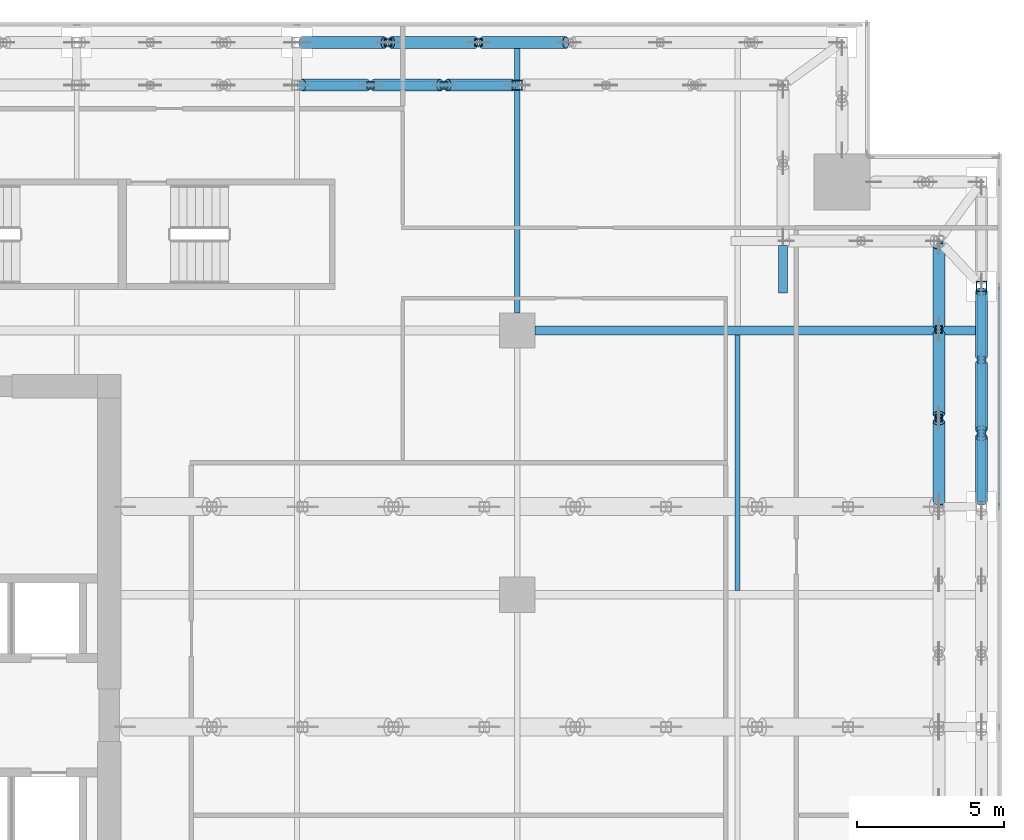
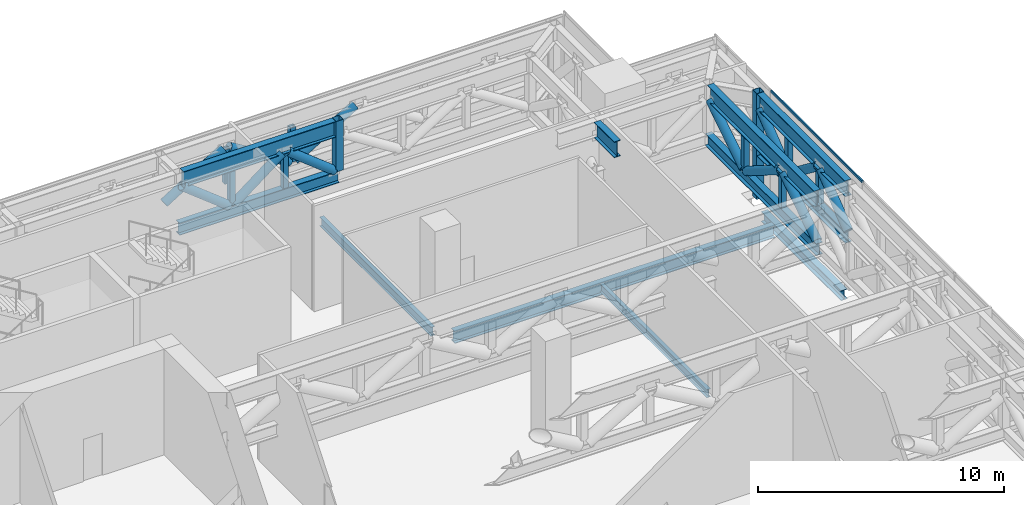
# One storey, part 23 of 36: 30 members, 4 beams, 1 element without a shape of its own.
"""IFC4 building model written with IfcOpenShell, lengths in metres."""

from ifc_helpers import new_model, si_unit, direction, frame, origin, origin_2d, place, context, subcontext, project, spatial, hollow_rectangle, hollow_circle, i_section, extrude, source, transform, mapped, material, material_profile, profile_set, type_object, element, aggregate, save


model = new_model("IFC4")

# Units and contexts
model_context = context("Model", 3, precision=1e-05, world=origin(), true_north=direction((0.0, 1.0)))
body_context = subcontext(model_context, "Body", "Model", "MODEL_VIEW")
ifc_project = project(units=[si_unit("LENGTHUNIT", "METRE"), si_unit("AREAUNIT", "SQUARE_METRE"), si_unit("VOLUMEUNIT", "CUBIC_METRE"), si_unit("PLANEANGLEUNIT", "RADIAN"), si_unit("MASSUNIT", "GRAM", prefix="KILO")], contexts=[model_context])

# Site, building, storey
site_placement = place(None, origin())
site = spatial("IfcSite", under=ifc_project, at=site_placement, CompositionType="ELEMENT")
building_placement = place(site_placement, origin())
building = spatial("IfcBuilding", under=site, at=building_placement, Name="Khomas Fold Tower", CompositionType="ELEMENT")
storey_placement = place(building_placement, frame((0.0, 0.0, 216.699951171875)))
storey = spatial("IfcBuildingStorey", under=building, at=storey_placement, Name="L48", CompositionType="ELEMENT", Elevation=216.699951171875)

# Beams
ifc_material_1 = material(Name="Steel S355", Category="steel")
ifc_material_profile_1 = material_profile(ifc_material_1, i_section(OverallWidth=0.179931640625, OverallDepth=0.39990234375, WebThickness=0.008544921875, FlangeThickness=0.013427734375, at=origin_2d()), Name="IPE 400")
ifc_profile_set_1 = profile_set([ifc_material_profile_1], Name="Steel S355")
beam_type_1 = type_object("IfcBeamType", Name="IPE 400 beam JB3", PredefinedType="BEAM", material=ifc_profile_set_1)
shared_shape_1 = source(origin(), body_context, "Body", "SweptSolid", [
    extrude(i_section(OverallWidth=0.179931640625, OverallDepth=0.39990234375, WebThickness=0.008544921875, FlangeThickness=0.013427734375, at=origin_2d()), origin(), (0.0, 0.0, 1.0), 8.7001953125),
])
beam_1_placement = place(storey_placement, frame((42.0, 31.64990234375, -0.599853515625), z_axis=(0.0, 1.0, 0.0), x_axis=(-1.0, 0.0, 0.0)))
element("IfcBeam", 1, at=beam_1_placement, inside=storey, type_object=beam_type_1, Name="JB3", PredefinedType="BEAM", context=body_context, shape_type="MappedRepresentation", body=[
    mapped(shared_shape_1, transform((0.0, 0.0, 0.0))),
])
ifc_material_2 = material(Name="Steel S355", Category="steel")
ifc_material_profile_2 = material_profile(ifc_material_2, i_section(OverallWidth=0.300048828125, OverallDepth=0.5, WebThickness=0.014404296875, FlangeThickness=0.028076171875, at=origin_2d()), Name="HE 500 B")
ifc_profile_set_2 = profile_set([ifc_material_profile_2], Name="Steel S355")
beam_type_2 = type_object("IfcBeamType", Name="HE 500 B spandrel SB3", PredefinedType="SPANDREL", material=ifc_profile_set_2)
shared_shape_2 = source(origin(), body_context, "Body", "SweptSolid", [
    extrude(i_section(OverallWidth=0.300048828125, OverallDepth=0.5, WebThickness=0.014404296875, FlangeThickness=0.028076171875, at=origin_2d()), origin(), (0.0, 0.0, 1.0), 6.5),
])
beam_2_placement = place(storey_placement, frame((50.300048828125, 35.0, -0.64990234375), z_axis=(0.0, 1.0, 0.0), x_axis=(-1.0, 0.0, 0.0)))
element("IfcBeam", 2, at=beam_2_placement, inside=storey, type_object=beam_type_2, Name="SB3", PredefinedType="SPANDREL", context=body_context, shape_type="MappedRepresentation", body=[
    mapped(shared_shape_2, transform((0.0, 0.0, 0.0))),
])
ifc_material_3 = material(Name="Steel S355", Category="steel")
ifc_material_profile_3 = material_profile(ifc_material_3, i_section(OverallWidth=0.300048828125, OverallDepth=0.60009765625, WebThickness=0.015380859375, FlangeThickness=0.030029296875, at=origin_2d()), Name="HE 600 B")
ifc_profile_set_3 = profile_set([ifc_material_profile_3], Name="Steel S355")
beam_type_3 = type_object("IfcBeamType", Name="HE 600 B beam GB5", PredefinedType="BEAM", material=ifc_profile_set_3)
shared_shape_3 = source(origin(), body_context, "Body", "SweptSolid", [
    extrude(i_section(OverallWidth=0.300048828125, OverallDepth=0.60009765625, WebThickness=0.015380859375, FlangeThickness=0.030029296875, at=origin_2d()), origin(), (0.0, 0.0, 1.0), 15.0498046875),
])
beam_3_placement = place(storey_placement, frame((35.10009765625, 40.5, -0.699951171875), z_axis=(1.0, 0.0, 0.0), x_axis=(0.0, 1.0, 0.0)))
element("IfcBeam", 3, at=beam_3_placement, inside=storey, type_object=beam_type_3, Name="GB5", PredefinedType="BEAM", context=body_context, shape_type="MappedRepresentation", body=[
    mapped(shared_shape_3, transform((0.0, 0.0, 0.0))),
])
ifc_material_4 = material(Name="Steel S355", Category="steel")
ifc_material_profile_4 = material_profile(ifc_material_4, i_section(OverallWidth=0.18994140625, OverallDepth=0.449951171875, WebThickness=0.009521484375, FlangeThickness=0.0146484375, at=origin_2d()), Name="IPE 450")
ifc_profile_set_4 = profile_set([ifc_material_profile_4], Name="Steel S355")
beam_type_4 = type_object("IfcBeamType", Name="IPE 450 beam JB4", PredefinedType="BEAM", material=ifc_profile_set_4)
shared_shape_4 = source(origin(), body_context, "Body", "SweptSolid", [
    extrude(i_section(OverallWidth=0.18994140625, OverallDepth=0.449951171875, WebThickness=0.009521484375, FlangeThickness=0.0146484375, at=origin_2d()), origin(), (0.0, 0.0, 1.0), 9.0498046875),
])
beam_4_placement = place(storey_placement, frame((34.5, 41.10009765625, -0.625), z_axis=(0.0, 1.0, 0.0), x_axis=(-1.0, 0.0, 0.0)))
element("IfcBeam", 4, at=beam_4_placement, inside=storey, type_object=beam_type_4, Name="JB4", PredefinedType="BEAM", context=body_context, shape_type="MappedRepresentation", body=[
    mapped(shared_shape_4, transform((0.0, 0.0, 0.0))),
])

# Members
ifc_material_5 = material(Name="Steel S355", Category="steel")
ifc_material_profile_5 = material_profile(ifc_material_5, i_section(OverallWidth=0.300048828125, OverallDepth=0.7900390625, WebThickness=0.014892578125, FlangeThickness=0.028076171875, at=origin_2d()), Name="HE 800 A")
ifc_profile_set_5 = profile_set([ifc_material_profile_5], Name="Steel S355")
member_type_1 = type_object("IfcMemberType", Name="BELT TRUSS 3 TOP CHORD HE 800 A", PredefinedType="CHORD", material=ifc_profile_set_5)
shared_shape_5 = source(origin(), body_context, "Body", "SweptSolid", [
    extrude(i_section(OverallWidth=0.300048828125, OverallDepth=0.7900390625, WebThickness=0.014892578125, FlangeThickness=0.028076171875, at=origin_2d()), origin(), (0.0, 0.0, 1.0), 7.14990234375),
])
for number, where, z_axis, x_axis, name in (
    (5, (50.300048828125, 34.675048828125, 4.85498046875), (0.0, 1.0, 0.0), (-1.0, 0.0, 0.0), "BT3-CT"),
    (6, (34.324951171875, 48.85009765625, 4.85498046875), (-1.0, 0.0, 0.0), (0.0, -1.0, 0.0), "BT3-CT"),
):
    element("IfcMember", number, at=place(storey_placement, frame(where, z_axis=z_axis, x_axis=x_axis)), inside=storey, type_object=member_type_1, Name=name, PredefinedType="CHORD", context=body_context, shape_type="MappedRepresentation", body=[
        mapped(shared_shape_5, transform((0.0, 0.0, 0.0))),
    ])
ifc_material_6 = material(Name="Steel S355", Category="steel")
ifc_material_profile_6 = material_profile(ifc_material_6, i_section(OverallWidth=0.300048828125, OverallDepth=0.590087890625, WebThickness=0.012939453125, FlangeThickness=0.02490234375, at=origin_2d()), Name="HE 600 A")
ifc_profile_set_6 = profile_set([ifc_material_profile_6], Name="Steel S355")
member_type_2 = type_object("IfcMemberType", Name="BELT TRUSS 3 BOTTOM CHORD HE 600 A", PredefinedType="CHORD", material=ifc_profile_set_6)
shared_shape_6 = source(origin(), body_context, "Body", "SweptSolid", [
    extrude(i_section(OverallWidth=0.300048828125, OverallDepth=0.590087890625, WebThickness=0.012939453125, FlangeThickness=0.02490234375, at=origin_2d()), origin(), (0.0, 0.0, 1.0), 7.14990234375),
])
member_1_placement = place(storey_placement, frame((50.300048828125, 34.675048828125, 2.445068359375), z_axis=(0.0, 1.0, 0.0), x_axis=(-1.0, 0.0, 0.0)))
element("IfcMember", 7, at=member_1_placement, inside=storey, type_object=member_type_2, Name="BT3-CB", PredefinedType="CHORD", context=body_context, shape_type="MappedRepresentation", body=[
    mapped(shared_shape_6, transform((0.0, 0.0, 0.0))),
])
ifc_material_7 = material(Name="Steel S355", Category="steel")
ifc_material_profile_7 = material_profile(ifc_material_7, hollow_circle(Radius=0.203125, WallThickness=0.012451171875, at=origin_2d()), Name="CHS 406.4x12.5")
ifc_profile_set_7 = profile_set([ifc_material_profile_7], Name="Steel S355")
member_type_3 = type_object("IfcMemberType", Name="BELT TRUSS 3 DIAGONAL CHS 406.4x12.5", PredefinedType="BRACE", material=ifc_profile_set_7)
shared_shape_7 = source(origin(), body_context, "Body", "SweptSolid", [
    extrude(hollow_circle(Radius=0.203125, WallThickness=0.012451171875, at=origin_2d()), origin(), (0.0, 0.0, 1.0), 2.798583984375),
])
for number, where, z_axis, x_axis, name in (
    (8, (50.300048828125, 34.675048828125, 2.735107421875), (0.0, 0.786067028411, 0.618141267709), (-1.0, 0.0, 0.0), "BT3-D"),
    (9, (50.300048828125, 39.625, 2.735107421875), (0.0, 0.786067028411, 0.618141267709), (-1.0, 0.0, 0.0), "BT3-D"),
    (10, (34.324951171875, 48.85009765625, 2.735107421875), (-0.786067028411, 0.0, 0.618141267709), (0.0, -1.0, 0.0), "BT3-D"),
    (11, (29.375, 48.85009765625, 2.735107421875), (-0.786067028411, 0.0, 0.618141267709), (0.0, -1.0, 0.0), "BT3-D"),
):
    element("IfcMember", number, at=place(storey_placement, frame(where, z_axis=z_axis, x_axis=x_axis)), inside=storey, type_object=member_type_3, Name=name, PredefinedType="BRACE", context=body_context, shape_type="MappedRepresentation", body=[
        mapped(shared_shape_7, transform((0.0, 0.0, 0.0))),
    ])
shared_shape_8 = source(origin(), body_context, "Body", "SweptSolid", [
    extrude(hollow_circle(Radius=0.203125, WallThickness=0.012451171875, at=origin_2d()), origin(), (0.0, 0.0, 1.0), 2.838134765625),
])
for number, where, z_axis, x_axis, name in (
    (12, (50.300048828125, 37.125, 4.465087890625), (0.0, 0.792758275848, -0.609536148292), (-1.0, 0.0, 0.0), "BT3-D"),
    (13, (31.875, 48.85009765625, 4.465087890625), (-0.792758275848, 0.0, -0.609536148292), (0.0, -1.0, 0.0), "BT3-D"),
):
    element("IfcMember", number, at=place(storey_placement, frame(where, z_axis=z_axis, x_axis=x_axis)), inside=storey, type_object=member_type_3, Name=name, PredefinedType="BRACE", context=body_context, shape_type="MappedRepresentation", body=[
        mapped(shared_shape_8, transform((0.0, 0.0, 0.0))),
    ])
ifc_material_8 = material(Name="Steel S355", Category="steel")
ifc_material_profile_8 = material_profile(ifc_material_8, hollow_rectangle(XDim=0.25, YDim=0.25, WallThickness=0.01611328125, at=origin_2d()), Name="SHS 250x250x16")
ifc_profile_set_8 = profile_set([ifc_material_profile_8], Name="Steel S355")
member_type_4 = type_object("IfcMemberType", Name="BELT TRUSS 3 MID POST SHS 250x250x16", PredefinedType="POST", material=ifc_profile_set_8)
shared_shape_9 = source(origin(), body_context, "Body", "SweptSolid", [
    extrude(hollow_rectangle(XDim=0.25, YDim=0.25, WallThickness=0.01611328125, at=origin_2d()), origin(), (0.0, 0.0, 1.0), 1.719970703125),
])
for number, where, z_axis, x_axis, name in (
    (14, (50.300048828125, 37.0, 2.739990234375), (0.0, 0.0, 1.0), (1.0, 0.0, 0.0), "BT3-M"),
    (15, (50.300048828125, 39.5, 2.739990234375), (0.0, 0.0, 1.0), (1.0, 0.0, 0.0), "BT3-M"),
    (16, (33.183349609375, 50.300048828125, 2.739990234375), (0.0, 0.0, 1.0), (1.0, 0.0, 0.0), "BT3-M"),
    (17, (30.091552734375, 50.300048828125, 2.739990234375), (0.0, 0.0, 1.0), (1.0, 0.0, 0.0), "BT3-M"),
    (18, (48.85009765625, 37.5166015625, 2.739990234375), (0.0, 0.0, 1.0), (1.0, 0.0, 0.0), "BT3-M"),
    (19, (48.85009765625, 40.533447265625, 2.739990234375), (0.0, 0.0, 1.0), (1.0, 0.0, 0.0), "BT3-M"),
    (20, (32.0, 48.85009765625, 2.739990234375), (0.0, 0.0, 1.0), (1.0, 0.0, 0.0), "BT3-M"),
    (21, (29.5, 48.85009765625, 2.739990234375), (0.0, 0.0, 1.0), (1.0, 0.0, 0.0), "BT3-M"),
):
    element("IfcMember", number, at=place(storey_placement, frame(where, z_axis=z_axis, x_axis=x_axis)), inside=storey, type_object=member_type_4, Name=name, PredefinedType="POST", context=body_context, shape_type="MappedRepresentation", body=[
        mapped(shared_shape_9, transform((0.0, 0.0, 0.0))),
    ])
shared_shape_10 = source(origin(), body_context, "Body", "SweptSolid", [
    extrude(hollow_circle(Radius=0.203125, WallThickness=0.012451171875, at=origin_2d()), origin(), (0.0, 0.0, 1.0), 3.32666015625),
])
member_2_placement = place(storey_placement, frame((36.14990234375, 50.300048828125, 4.465087890625), z_axis=(-0.854153204159, 0.0, -0.520021445543), x_axis=(0.0, -1.0, 0.0)))
element("IfcMember", 22, at=member_2_placement, inside=storey, type_object=member_type_3, Name="BT3-D", PredefinedType="BRACE", context=body_context, shape_type="MappedRepresentation", body=[
    mapped(shared_shape_10, transform((0.0, 0.0, 0.0))),
])
shared_shape_11 = source(origin(), body_context, "Body", "SweptSolid", [
    extrude(hollow_circle(Radius=0.203125, WallThickness=0.012451171875, at=origin_2d()), origin(), (0.0, 0.0, 1.0), 3.326904296875),
])
member_3_placement = place(storey_placement, frame((33.058349609375, 50.300048828125, 2.735107421875), z_axis=(-0.854173047819, 0.0, 0.519988850245), x_axis=(0.0, -1.0, 0.0)))
element("IfcMember", 23, at=member_3_placement, inside=storey, type_object=member_type_3, Name="BT3-D", PredefinedType="BRACE", context=body_context, shape_type="MappedRepresentation", body=[
    mapped(shared_shape_11, transform((0.0, 0.0, 0.0))),
])
shared_shape_12 = source(origin(), body_context, "Body", "SweptSolid", [
    extrude(hollow_circle(Radius=0.203125, WallThickness=0.012451171875, at=origin_2d()), origin(), (0.0, 0.0, 1.0), 3.2841796875),
])
member_4_placement = place(storey_placement, frame((29.966552734375, 50.300048828125, 4.465087890625), z_axis=(-0.850005218195, 0.0, -0.526774267634), x_axis=(0.0, -1.0, 0.0)))
element("IfcMember", 24, at=member_4_placement, inside=storey, type_object=member_type_3, Name="BT3-D", PredefinedType="BRACE", context=body_context, shape_type="MappedRepresentation", body=[
    mapped(shared_shape_12, transform((0.0, 0.0, 0.0))),
])
ifc_material_9 = material(Name="Steel S355", Category="steel")
ifc_material_profile_9 = material_profile(ifc_material_9, i_section(OverallWidth=0.300048828125, OverallDepth=0.7900390625, WebThickness=0.014892578125, FlangeThickness=0.028076171875, at=origin_2d()), Name="HE 800 A")
ifc_profile_set_9 = profile_set([ifc_material_profile_9], Name="Steel S355")
member_type_5 = type_object("IfcMemberType", Name="BELT TRUSS 3 TOP CHORD LONG HE 800 A", PredefinedType="CHORD", material=ifc_profile_set_9)
shared_shape_13 = source(origin(), body_context, "Body", "SweptSolid", [
    extrude(i_section(OverallWidth=0.300048828125, OverallDepth=0.7900390625, WebThickness=0.014892578125, FlangeThickness=0.028076171875, at=origin_2d()), origin(), (0.0, 0.0, 1.0), 8.699951171875),
])
member_5_placement = place(storey_placement, frame((48.85009765625, 34.675048828125, 4.85498046875), z_axis=(0.0, 1.0, 0.0), x_axis=(-1.0, 0.0, 0.0)))
element("IfcMember", 25, at=member_5_placement, inside=storey, type_object=member_type_5, Name="BT3-CTL", PredefinedType="CHORD", context=body_context, shape_type="MappedRepresentation", body=[
    mapped(shared_shape_13, transform((0.0, 0.0, 0.0))),
])
shared_shape_14 = source(origin(), body_context, "Body", "SweptSolid", [
    extrude(hollow_circle(Radius=0.203125, WallThickness=0.012451171875, at=origin_2d()), origin(), (0.0, 0.0, 1.0), 3.220703125),
])
for number, where, z_axis, x_axis, name in (
    (26, (48.85009765625, 34.675048828125, 2.735107421875), (0.0, 0.843483522339, 0.537155049815), (-1.0, 0.0, 0.0), "BT3-D"),
    (27, (48.85009765625, 40.658447265625, 2.735107421875), (0.0, 0.843483522339, 0.537155049815), (-1.0, 0.0, 0.0), "BT3-D"),
):
    element("IfcMember", number, at=place(storey_placement, frame(where, z_axis=z_axis, x_axis=x_axis)), inside=storey, type_object=member_type_3, Name=name, PredefinedType="BRACE", context=body_context, shape_type="MappedRepresentation", body=[
        mapped(shared_shape_14, transform((0.0, 0.0, 0.0))),
    ])
shared_shape_15 = source(origin(), body_context, "Body", "SweptSolid", [
    extrude(hollow_circle(Radius=0.203125, WallThickness=0.012451171875, at=origin_2d()), origin(), (0.0, 0.0, 1.0), 3.26318359375),
])
member_6_placement = place(storey_placement, frame((48.85009765625, 37.6416015625, 4.465087890625), z_axis=(0.0, 0.847901616183, -0.53015360913), x_axis=(-1.0, 0.0, 0.0)))
element("IfcMember", 28, at=member_6_placement, inside=storey, type_object=member_type_3, Name="BT3-D", PredefinedType="BRACE", context=body_context, shape_type="MappedRepresentation", body=[
    mapped(shared_shape_15, transform((0.0, 0.0, 0.0))),
])
shared_shape_16 = source(origin(), body_context, "Body", "SweptSolid", [
    extrude(i_section(OverallWidth=0.300048828125, OverallDepth=0.590087890625, WebThickness=0.012939453125, FlangeThickness=0.02490234375, at=origin_2d()), origin(), (0.0, 0.0, 1.0), 7.5),
])
member_7_placement = place(storey_placement, frame((34.5, 48.85009765625, 2.445068359375), z_axis=(-1.0, 0.0, 0.0), x_axis=(0.0, -1.0, 0.0)))
element("IfcMember", 29, at=member_7_placement, inside=storey, type_object=member_type_2, Name="BT3-CB", PredefinedType="CHORD", context=body_context, shape_type="MappedRepresentation", body=[
    mapped(shared_shape_16, transform((0.0, 0.0, 0.0))),
])
ifc_material_10 = material(Name="Steel S355", Category="steel")
ifc_material_profile_10 = material_profile(ifc_material_10, i_section(OverallWidth=0.300048828125, OverallDepth=0.590087890625, WebThickness=0.012939453125, FlangeThickness=0.02490234375, at=origin_2d()), Name="HE 600 A")
ifc_profile_set_10 = profile_set([ifc_material_profile_10], Name="Steel S355")
member_type_6 = type_object("IfcMemberType", Name="BELT TRUSS 3 BOTTOM CHORD LONG HE 600 A", PredefinedType="CHORD", material=ifc_profile_set_10)
shared_shape_17 = source(origin(), body_context, "Body", "SweptSolid", [
    extrude(i_section(OverallWidth=0.300048828125, OverallDepth=0.590087890625, WebThickness=0.012939453125, FlangeThickness=0.02490234375, at=origin_2d()), origin(), (0.0, 0.0, 1.0), 9.050048828125),
])
member_8_placement = place(storey_placement, frame((48.85009765625, 34.5, 2.445068359375), z_axis=(0.0, 1.0, 0.0), x_axis=(-1.0, 0.0, 0.0)))
element("IfcMember", 30, at=member_8_placement, inside=storey, type_object=member_type_6, Name="BT3-CBL", PredefinedType="CHORD", context=body_context, shape_type="MappedRepresentation", body=[
    mapped(shared_shape_17, transform((0.0, 0.0, 0.0))),
])
ifc_material_11 = material(Name="Steel S355", Category="steel")
ifc_material_profile_11 = material_profile(ifc_material_11, i_section(OverallWidth=0.300048828125, OverallDepth=0.7900390625, WebThickness=0.014892578125, FlangeThickness=0.028076171875, at=origin_2d()), Name="HE 800 A")
ifc_profile_set_11 = profile_set([ifc_material_profile_11], Name="Steel S355")
member_type_7 = type_object("IfcMemberType", Name="BELT TRUSS 3 TOP CHORD SHORTER HE 800 A", PredefinedType="CHORD", material=ifc_profile_set_11)
shared_shape_18 = source(origin(), body_context, "Body", "SweptSolid", [
    extrude(i_section(OverallWidth=0.300048828125, OverallDepth=0.7900390625, WebThickness=0.014892578125, FlangeThickness=0.028076171875, at=origin_2d()), origin(), (0.0, 0.0, 1.0), 1.6298828125),
])
member_9_placement = place(storey_placement, frame((43.550048828125, 43.39990234375, 4.85498046875), z_axis=(0.0, -1.0, 0.0), x_axis=(1.0, 0.0, 0.0)))
element("IfcMember", 31, at=member_9_placement, inside=storey, type_object=member_type_7, Name="BT3-CTSS", PredefinedType="CHORD", context=body_context, shape_type="MappedRepresentation", body=[
    mapped(shared_shape_18, transform((0.0, 0.0, 0.0))),
])
ifc_material_12 = material(Name="Steel S355", Category="steel")
ifc_material_profile_12 = material_profile(ifc_material_12, hollow_rectangle(XDim=0.35009765625, YDim=0.35009765625, WallThickness=0.01611328125, at=origin_2d()), Name="SHS 350x350x16")
ifc_profile_set_12 = profile_set([ifc_material_profile_12], Name="Steel S355")
member_type_8 = type_object("IfcMemberType", Name="BELT TRUSS 3 COLUMN POST SHS 350x350x16", PredefinedType="POST", material=ifc_profile_set_12)
shared_shape_19 = source(origin(), body_context, "Body", "SweptSolid", [
    extrude(hollow_rectangle(XDim=0.35009765625, YDim=0.35009765625, WallThickness=0.01611328125, at=origin_2d()), origin(), (0.0, 0.0, 1.0), 5.25),
])
member_10_placement = place(storey_placement, frame((50.300048828125, 42.0, 0.0), z_axis=(0.0, 0.0, 1.0), x_axis=(1.0, 0.0, 0.0)))
element("IfcMember", 32, at=member_10_placement, inside=storey, type_object=member_type_8, Name="BT3-P", PredefinedType="POST", context=body_context, shape_type="MappedRepresentation", body=[
    mapped(shared_shape_19, transform((0.0, 0.0, 0.0))),
])
ifc_material_13 = material(Name="Steel S355", Category="steel")
ifc_material_profile_13 = material_profile(ifc_material_13, hollow_rectangle(XDim=0.35009765625, YDim=0.35009765625, WallThickness=0.01611328125, at=origin_2d()), Name="SHS 350x350x16")
ifc_profile_set_13 = profile_set([ifc_material_profile_13], Name="Steel S355")
member_type_9 = type_object("IfcMemberType", Name="BELT TRUSS 3 COLUMN POST SHORT SHS 350x350x16", PredefinedType="POST", material=ifc_profile_set_13)
shared_shape_20 = source(origin(), body_context, "Body", "SweptSolid", [
    extrude(hollow_rectangle(XDim=0.35009765625, YDim=0.35009765625, WallThickness=0.01611328125, at=origin_2d()), origin(), (0.0, 0.0, 1.0), 2.510009765625),
])
member_11_placement = place(storey_placement, frame((34.5, 48.85009765625, 2.739990234375), z_axis=(0.0, 0.0, 1.0), x_axis=(1.0, 0.0, 0.0)))
element("IfcMember", 33, at=member_11_placement, inside=storey, type_object=member_type_9, Name="BT3-PS", PredefinedType="POST", context=body_context, shape_type="MappedRepresentation", body=[
    mapped(shared_shape_20, transform((0.0, 0.0, 0.0))),
])

# Curtain wall, member
ifc_material_14 = material(Name="Aluminium framed double glazing", Category="aluminium")
curtain_wall_type = type_object("IfcCurtainWallType", Name="SK-Plant louvre wall CW4", PredefinedType="NOTDEFINED", material=ifc_material_14)
curtain_wall_placement = place(storey_placement, origin())
curtain_wall = element("IfcCurtainWall", 34, at=curtain_wall_placement, inside=storey, type_object=curtain_wall_type, Name="CW4 run L48 03-0", PredefinedType="NOTDEFINED")
ifc_material_15 = material(Name="Aluminium", Category="aluminium")
ifc_material_profile_14 = material_profile(ifc_material_15, hollow_rectangle(XDim=0.06005859375, YDim=0.1201171875, WallThickness=0.00390625, at=origin_2d()), Name="SK-Plant louvre wall transom CW4-T")
ifc_profile_set_14 = profile_set([ifc_material_profile_14], Name="Aluminium")
member_type_10 = type_object("IfcMemberType", Name="SK-Plant louvre wall transom CW4-T", PredefinedType="USERDEFINED", material=ifc_profile_set_14)
shared_shape_21 = source(origin(), body_context, "Body", "SweptSolid", [
    extrude(hollow_rectangle(XDim=0.06005859375, YDim=0.1201171875, WallThickness=0.00390625, at=origin_2d()), origin(), (0.0, 0.0, 1.0), 7.43994140625),
])
member_12_placement = place(storey_placement, frame((50.89990234375, 34.530029296875, 5.0400390625), z_axis=(0.0, 1.0, 0.0), x_axis=(-1.0, 0.0, 0.0)))
member_12 = element("IfcMember", 35, at=member_12_placement, type_object=member_type_10, Name="CW4 transom 6", ObjectType="TRANSOM", PredefinedType="USERDEFINED", context=body_context, shape_type="MappedRepresentation", body=[
    mapped(shared_shape_21, transform((0.0, 0.0, 0.0))),
])
aggregate(curtain_wall, [member_12])

save(model, "model.ifc")
